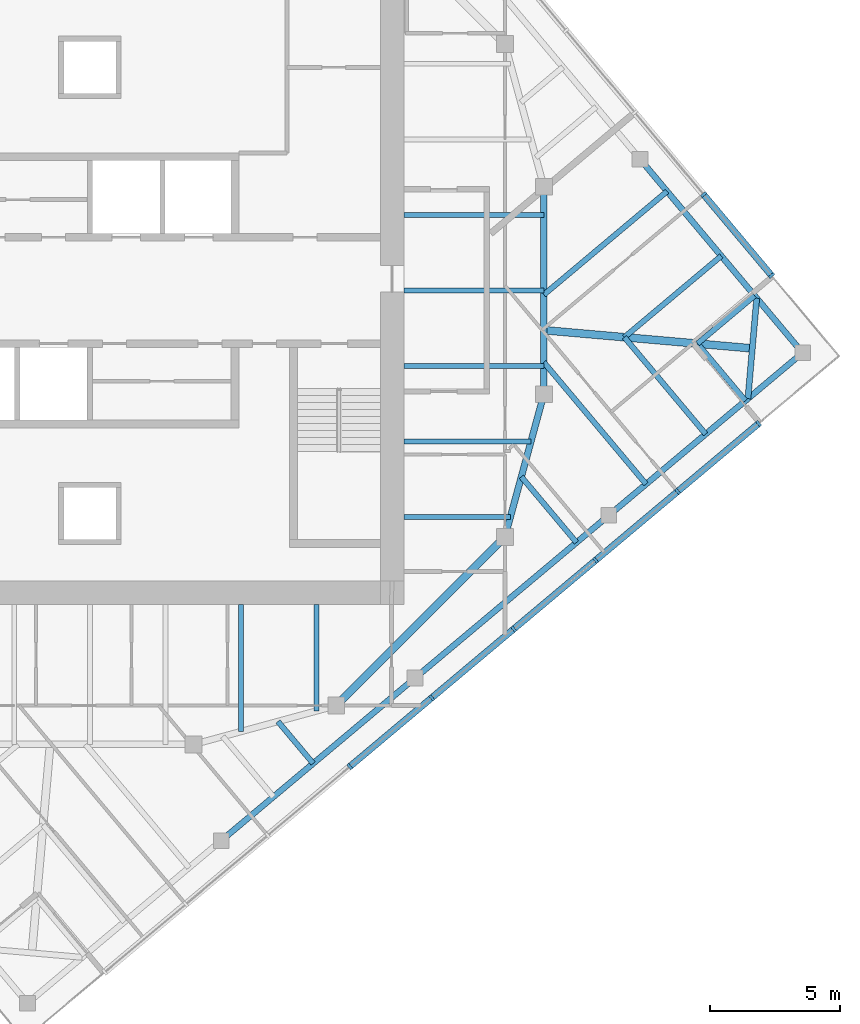
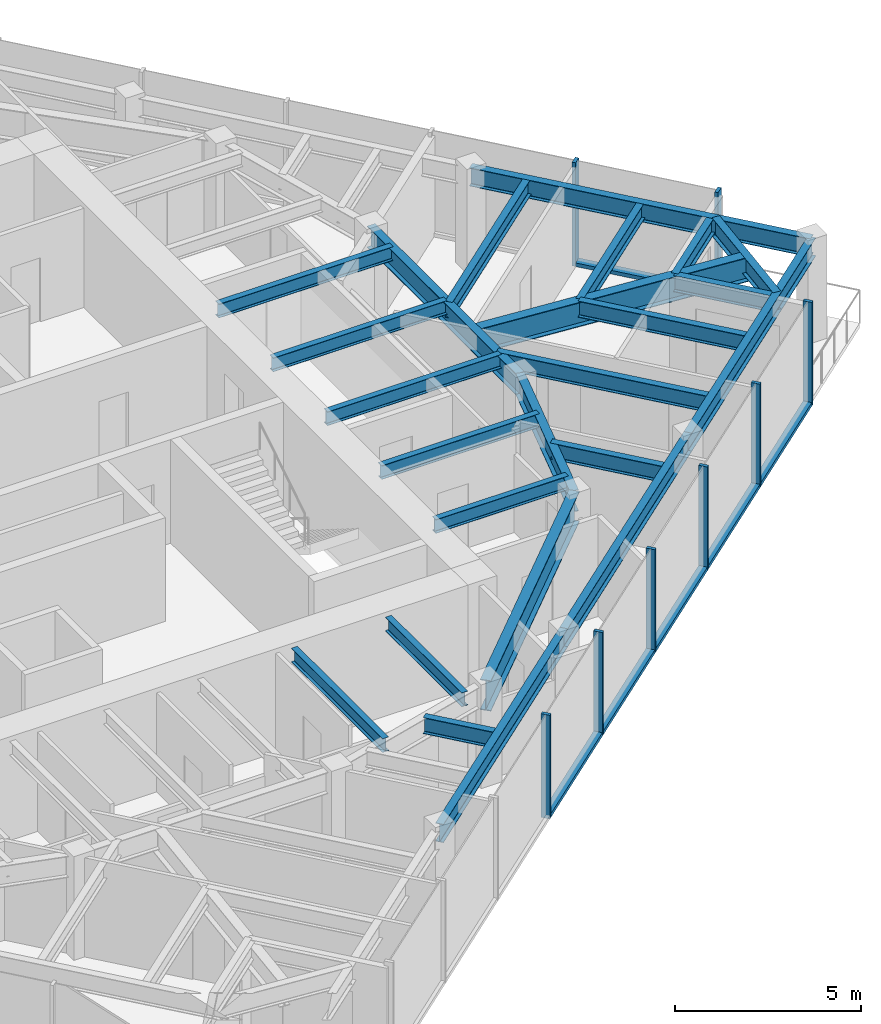
# One storey, part 3 of 12: 24 beams, 14 members, 2 elements without a shape of their own.
"""IFC4 building model written with IfcOpenShell, lengths in metres."""

from ifc_helpers import new_model, si_unit, direction, frame, origin, origin_2d, place, context, subcontext, project, spatial, rectangle, i_section, extrude, material, material_profile, profile_set, type_object, element, aggregate, save


model = new_model("IFC4")

# Units and contexts
model_context = context("Model", 3, precision=1e-05, world=origin(), true_north=direction((0.0, 1.0)))
body_context = subcontext(model_context, "Body", "Model", "MODEL_VIEW")
ifc_project = project(units=[si_unit("LENGTHUNIT", "METRE"), si_unit("AREAUNIT", "SQUARE_METRE"), si_unit("VOLUMEUNIT", "CUBIC_METRE"), si_unit("PLANEANGLEUNIT", "RADIAN"), si_unit("MASSUNIT", "GRAM", prefix="KILO")], contexts=[model_context])

# Site, building, storey
site_placement = place(None, origin())
site = spatial("IfcSite", under=ifc_project, at=site_placement, CompositionType="ELEMENT")
building_placement = place(site_placement, origin())
building = spatial("IfcBuilding", under=site, at=building_placement, Name="Torsade Residences", CompositionType="ELEMENT")
storey_placement = place(building_placement, frame((0.0, 0.0, 289.60009765625)))
storey = spatial("IfcBuildingStorey", under=building, at=storey_placement, Name="L80", CompositionType="ELEMENT", Elevation=289.60009765625)

# Beams
ifc_material_1 = material(Name="Steel grade 300", Category="steel")
ifc_material_profile_1 = material_profile(ifc_material_1, i_section(OverallWidth=0.300048828125, OverallDepth=0.800048828125, WebThickness=0.010009765625, FlangeThickness=0.02001953125, at=origin_2d()), Name="800WB146")
ifc_profile_set_1 = profile_set([ifc_material_profile_1], Name="Steel grade 300")
beam_type_1 = type_object("IfcBeamType", Name="CORNER GIRDER 800WB146", PredefinedType="BEAM", material=ifc_profile_set_1)
beam_1_placement = place(storey_placement, frame((65.53515625, 27.765869140625, 2.849853515625), z_axis=(-0.996193191806, 0.087172957961, 0.0), x_axis=(-0.087172957961, -0.996193191806, 0.0)))
element("IfcBeam", 1, at=beam_1_placement, inside=storey, type_object=beam_type_1, Name="Corner girder 05 L81", PredefinedType="BEAM", context=body_context, shape_type="SweptSolid", body=[
    extrude(i_section(OverallWidth=0.300048828125, OverallDepth=0.800048828125, WebThickness=0.010009765625, FlangeThickness=0.02001953125, at=origin_2d()), origin(), (0.0, 0.0, 1.0), 8.06591796875),
])
ifc_material_2 = material(Name="Steel grade 300", Category="steel")
ifc_material_profile_2 = material_profile(ifc_material_2, i_section(OverallWidth=0.22802734375, OverallDepth=0.60205078125, WebThickness=0.010498046875, FlangeThickness=0.014892578125, FilletRadius=0.013916015625, at=origin_2d()), Name="610UB101")
ifc_profile_set_2 = profile_set([ifc_material_profile_2], Name="Steel grade 300")
beam_type_2 = type_object("IfcBeamType", Name="CORNER TRIMMER 610UB101", PredefinedType="BEAM", material=ifc_profile_set_2)
beam_2_placement = place(storey_placement, frame((65.70458984375, 29.703125, 2.948974609375), z_axis=(-0.087133464362, -0.996196646947, 0.0), x_axis=(0.996196646947, -0.087133464362, 0.0)))
element("IfcBeam", 2, at=beam_2_placement, inside=storey, type_object=beam_type_2, Name="Corner trimmer 05 L81", PredefinedType="BEAM", context=body_context, shape_type="SweptSolid", body=[
    extrude(i_section(OverallWidth=0.22802734375, OverallDepth=0.60205078125, WebThickness=0.010498046875, FlangeThickness=0.014892578125, FilletRadius=0.013916015625, at=origin_2d()), origin(), (0.0, 0.0, 1.0), 3.88916015625),
])
ifc_material_3 = material(Name="Steel grade 300", Category="steel")
ifc_material_profile_3 = material_profile(ifc_material_3, i_section(OverallWidth=0.22802734375, OverallDepth=0.60205078125, WebThickness=0.010498046875, FlangeThickness=0.014892578125, FilletRadius=0.013916015625, at=origin_2d()), Name="610UB101")
ifc_profile_set_3 = profile_set([ifc_material_profile_3], Name="Steel grade 300")
beam_type_3 = type_object("IfcBeamType", Name="EDGE BEAM 610UB101", PredefinedType="SPANDREL", material=ifc_profile_set_3)
for number, where, z_axis, x_axis, name in (
    (3, (45.0654296875, 8.794921875, 2.948974609375), (0.766051532934, 0.642779160279, 0.0), (-0.642779160279, 0.766051532934, 0.0), "Edge beam 02 L81"),
    (4, (52.534423828125, 15.06201171875, 2.948974609375), (0.766028856906, 0.642806184154, 0.0), (-0.642806184154, 0.766028856906, 0.0), "Edge beam 03 L81"),
    (5, (60.003173828125, 21.329345703125, 2.948974609375), (0.766051532934, 0.642779160279, 0.0), (-0.642779160279, 0.766051532934, 0.0), "Edge beam 04 L81"),
    (6, (67.47216796875, 27.596435546875, 2.948974609375), (-0.642779160279, 0.766051532934, 0.0), (-0.766051532934, -0.642779160279, 0.0), "Edge beam 05 L81"),
):
    element("IfcBeam", number, at=place(storey_placement, frame(where, z_axis=z_axis, x_axis=x_axis)), inside=storey, type_object=beam_type_3, Name=name, PredefinedType="SPANDREL", context=body_context, shape_type="SweptSolid", body=[
        extrude(i_section(OverallWidth=0.22802734375, OverallDepth=0.60205078125, WebThickness=0.010498046875, FlangeThickness=0.014892578125, FilletRadius=0.013916015625, at=origin_2d()), origin(), (0.0, 0.0, 1.0), 9.75),
    ])

# Curtain wall, members
ifc_material_4 = material(Name="Aluminium and glass", Category="aluminium")
curtain_wall_type = type_object("IfcCurtainWallType", Name="FRITTED GLASS CURTAIN WALL HIGH ZONE", PredefinedType="NOTDEFINED", material=ifc_material_4)
curtain_wall_1_placement = place(storey_placement, origin())
curtain_wall_1 = element("IfcCurtainWall", 7, at=curtain_wall_1_placement, inside=storey, type_object=curtain_wall_type, Name="Curtain wall L80 face 1", PredefinedType="NOTDEFINED")
ifc_material_5 = material(Name="Aluminium mullion", Category="aluminium")
ifc_material_profile_4 = material_profile(ifc_material_5, rectangle(XDim=0.25, YDim=0.10009765625, at=origin_2d()), Name="HIGH ZONE CURTAIN WALL MULLION 250x100")
ifc_profile_set_4 = profile_set([ifc_material_profile_4], Name="Aluminium mullion")
member_type_1 = type_object("IfcMemberType", Name="HIGH ZONE CURTAIN WALL MULLION 250x100", PredefinedType="MULLION", material=ifc_profile_set_4)
member_1_placement = place(storey_placement, frame((50.017333984375, 11.64453125, 0.0), z_axis=(0.0, 0.0, 1.0), x_axis=(-0.642787616853, 0.766044437106, 0.0)))
member_1 = element("IfcMember", 8, at=member_1_placement, type_object=member_type_1, Name="Mullion 4", PredefinedType="MULLION", context=body_context, shape_type="SweptSolid", body=[
    extrude(rectangle(XDim=0.25, YDim=0.10009765625, at=origin_2d()), origin(), (0.0, 0.0, 1.0), 3.39990234375),
])
member_2_placement = place(storey_placement, frame((53.17724609375, 14.296142578125, 0.0), z_axis=(0.0, 0.0, 1.0), x_axis=(-0.642787616853, 0.766044437106, 0.0)))
member_2 = element("IfcMember", 9, at=member_2_placement, type_object=member_type_1, Name="Mullion 5", PredefinedType="MULLION", context=body_context, shape_type="SweptSolid", body=[
    extrude(rectangle(XDim=0.25, YDim=0.10009765625, at=origin_2d()), origin(), (0.0, 0.0, 1.0), 3.39990234375),
])
member_3_placement = place(storey_placement, frame((56.337158203125, 16.947509765625, 0.0), z_axis=(0.0, 0.0, 1.0), x_axis=(-0.642787616853, 0.766044437106, 0.0)))
member_3 = element("IfcMember", 10, at=member_3_placement, type_object=member_type_1, Name="Mullion 6", PredefinedType="MULLION", context=body_context, shape_type="SweptSolid", body=[
    extrude(rectangle(XDim=0.25, YDim=0.10009765625, at=origin_2d()), origin(), (0.0, 0.0, 1.0), 3.39990234375),
])
member_4_placement = place(storey_placement, frame((59.4970703125, 19.59912109375, 0.0), z_axis=(0.0, 0.0, 1.0), x_axis=(-0.642787616853, 0.766044437106, 0.0)))
member_4 = element("IfcMember", 11, at=member_4_placement, type_object=member_type_1, Name="Mullion 7", PredefinedType="MULLION", context=body_context, shape_type="SweptSolid", body=[
    extrude(rectangle(XDim=0.25, YDim=0.10009765625, at=origin_2d()), origin(), (0.0, 0.0, 1.0), 3.39990234375),
])
member_5_placement = place(storey_placement, frame((62.656982421875, 22.25048828125, 0.0), z_axis=(0.0, 0.0, 1.0), x_axis=(-0.642787616853, 0.766044437106, 0.0)))
member_5 = element("IfcMember", 12, at=member_5_placement, type_object=member_type_1, Name="Mullion 8", PredefinedType="MULLION", context=body_context, shape_type="SweptSolid", body=[
    extrude(rectangle(XDim=0.25, YDim=0.10009765625, at=origin_2d()), origin(), (0.0, 0.0, 1.0), 3.39990234375),
])
member_6_placement = place(storey_placement, frame((65.778564453125, 24.869873046875, 0.0), z_axis=(0.0, 0.0, 1.0), x_axis=(-0.642787616853, 0.766044437106, 0.0)))
member_6 = element("IfcMember", 13, at=member_6_placement, type_object=member_type_1, Name="Mullion 9", PredefinedType="MULLION", context=body_context, shape_type="SweptSolid", body=[
    extrude(rectangle(XDim=0.25, YDim=0.10009765625, at=origin_2d()), origin(), (0.0, 0.0, 1.0), 3.39990234375),
])

curtain_wall_2_placement = place(storey_placement, origin())
curtain_wall_2 = element("IfcCurtainWall", 14, at=curtain_wall_2_placement, inside=storey, type_object=curtain_wall_type, Name="Curtain wall L80 face 4", PredefinedType="NOTDEFINED")
member_7_placement = place(storey_placement, frame((66.27783203125, 30.57568359375, 0.0), z_axis=(0.0, 0.0, 1.0), x_axis=(-0.766044437106, -0.642787616853, 0.0)))
member_7 = element("IfcMember", 15, at=member_7_placement, type_object=member_type_1, Name="Mullion 1", PredefinedType="MULLION", context=body_context, shape_type="SweptSolid", body=[
    extrude(rectangle(XDim=0.25, YDim=0.10009765625, at=origin_2d()), origin(), (0.0, 0.0, 1.0), 3.39990234375),
])
member_8_placement = place(storey_placement, frame((63.658447265625, 33.697265625, 0.0), z_axis=(0.0, 0.0, 1.0), x_axis=(-0.766044437106, -0.642787616853, 0.0)))
member_8 = element("IfcMember", 16, at=member_8_placement, type_object=member_type_1, Name="Mullion 2", PredefinedType="MULLION", context=body_context, shape_type="SweptSolid", body=[
    extrude(rectangle(XDim=0.25, YDim=0.10009765625, at=origin_2d()), origin(), (0.0, 0.0, 1.0), 3.39990234375),
])

# Member
ifc_material_6 = material(Name="Aluminium transom", Category="aluminium")
ifc_material_profile_5 = material_profile(ifc_material_6, rectangle(XDim=0.25, YDim=0.1201171875, at=origin_2d()), Name="HIGH ZONE CURTAIN WALL TRANSOM 250x120")
ifc_profile_set_5 = profile_set([ifc_material_profile_5], Name="Aluminium transom")
member_type_2 = type_object("IfcMemberType", Name="HIGH ZONE CURTAIN WALL TRANSOM 250x120", PredefinedType="USERDEFINED", material=ifc_profile_set_5)
member_9_placement = place(storey_placement, frame((50.055419921875, 11.6767578125, 0.059814453125), z_axis=(0.766069182322, 0.6427581255, 0.0), x_axis=(-0.6427581255, 0.766069182322, 0.0)))
member_9 = element("IfcMember", 17, at=member_9_placement, type_object=member_type_2, Name="Transom 4.1", ObjectType="TRANSOM", PredefinedType="USERDEFINED", context=body_context, shape_type="SweptSolid", body=[
    extrude(rectangle(XDim=0.25, YDim=0.1201171875, at=origin_2d()), origin(), (0.0, 0.0, 1.0), 4.025146484375),
])

member_10_placement = place(storey_placement, frame((53.21533203125, 14.328125, 0.059814453125), z_axis=(0.766039316443, 0.642793719372, 0.0), x_axis=(-0.642793719372, 0.766039316443, 0.0)))
member_10 = element("IfcMember", 18, at=member_10_placement, type_object=member_type_2, Name="Transom 5.1", ObjectType="TRANSOM", PredefinedType="USERDEFINED", context=body_context, shape_type="SweptSolid", body=[
    extrude(rectangle(XDim=0.25, YDim=0.1201171875, at=origin_2d()), origin(), (0.0, 0.0, 1.0), 4.025146484375),
])

member_11_placement = place(storey_placement, frame((56.37548828125, 16.979736328125, 0.059814453125), z_axis=(0.766044121803, 0.642787992616, 0.0), x_axis=(-0.642787992616, 0.766044121803, 0.0)))
member_11 = element("IfcMember", 19, at=member_11_placement, type_object=member_type_2, Name="Transom 6.1", ObjectType="TRANSOM", PredefinedType="USERDEFINED", context=body_context, shape_type="SweptSolid", body=[
    extrude(rectangle(XDim=0.25, YDim=0.1201171875, at=origin_2d()), origin(), (0.0, 0.0, 1.0), 4.02490234375),
])

member_12_placement = place(storey_placement, frame((59.535400390625, 19.63134765625, 0.059814453125), z_axis=(0.766044121803, 0.642787992616, 0.0), x_axis=(-0.642787992616, 0.766044121803, 0.0)))
member_12 = element("IfcMember", 20, at=member_12_placement, type_object=member_type_2, Name="Transom 7.1", ObjectType="TRANSOM", PredefinedType="USERDEFINED", context=body_context, shape_type="SweptSolid", body=[
    extrude(rectangle(XDim=0.25, YDim=0.1201171875, at=origin_2d()), origin(), (0.0, 0.0, 1.0), 4.02490234375),
])

member_13_placement = place(storey_placement, frame((62.6953125, 22.28271484375, 0.059814453125), z_axis=(0.766021778456, 0.642814619413, 0.0), x_axis=(-0.642814619413, 0.766021778456, 0.0)))
member_13 = element("IfcMember", 21, at=member_13_placement, type_object=member_type_2, Name="Transom 8.1", ObjectType="TRANSOM", PredefinedType="USERDEFINED", context=body_context, shape_type="SweptSolid", body=[
    extrude(rectangle(XDim=0.25, YDim=0.1201171875, at=origin_2d()), origin(), (0.0, 0.0, 1.0), 3.97509765625),
])

aggregate(curtain_wall_1, [member_1, member_2, member_3, member_4, member_5, member_6, member_9, member_10, member_11, member_12, member_13])

member_14_placement = place(storey_placement, frame((66.24560546875, 30.614013671875, 0.059814453125), z_axis=(-0.642814619413, 0.766021778456, 0.0), x_axis=(-0.766021778456, -0.642814619413, 0.0)))
member_14 = element("IfcMember", 22, at=member_14_placement, type_object=member_type_2, Name="Transom 1.1", ObjectType="TRANSOM", PredefinedType="USERDEFINED", context=body_context, shape_type="SweptSolid", body=[
    extrude(rectangle(XDim=0.25, YDim=0.1201171875, at=origin_2d()), origin(), (0.0, 0.0, 1.0), 3.97509765625),
])

aggregate(curtain_wall_2, [member_7, member_8, member_14])

# Beams
ifc_material_7 = material(Name="Steel grade 300", Category="steel")
ifc_material_profile_6 = material_profile(ifc_material_7, i_section(OverallWidth=0.18994140625, OverallDepth=0.4541015625, WebThickness=0.008544921875, FlangeThickness=0.0126953125, FilletRadius=0.011474609375, at=origin_2d()), Name="460UB67.1")
ifc_profile_set_6 = profile_set([ifc_material_profile_6], Name="Steel grade 300")
beam_type_4 = type_object("IfcBeamType", Name="INNER FLOOR BEAM 460UB67.1", PredefinedType="JOIST", material=ifc_profile_set_6)
beam_3_placement = place(storey_placement, frame((48.737548828125, 17.89990234375, 3.02294921875), z_axis=(0.0, -1.0, 0.0), x_axis=(1.0, 0.0, 0.0)))
element("IfcBeam", 23, at=beam_3_placement, inside=storey, type_object=beam_type_4, Name="Inner floor beam IS01 L81", PredefinedType="JOIST", context=body_context, shape_type="SweptSolid", body=[
    extrude(i_section(OverallWidth=0.18994140625, OverallDepth=0.4541015625, WebThickness=0.008544921875, FlangeThickness=0.0126953125, FilletRadius=0.011474609375, at=origin_2d()), origin(), (0.0, 0.0, 1.0), 4.10791015625),
])
beam_4_placement = place(storey_placement, frame((45.824951171875, 17.89990234375, 3.02294921875), z_axis=(0.0, -1.0, 0.0), x_axis=(1.0, 0.0, 0.0)))
element("IfcBeam", 24, at=beam_4_placement, inside=storey, type_object=beam_type_4, Name="Inner floor beam IS02 L81", PredefinedType="JOIST", context=body_context, shape_type="SweptSolid", body=[
    extrude(i_section(OverallWidth=0.18994140625, OverallDepth=0.4541015625, WebThickness=0.008544921875, FlangeThickness=0.0126953125, FilletRadius=0.011474609375, at=origin_2d()), origin(), (0.0, 0.0, 1.0), 4.902099609375),
])
beam_5_placement = place(storey_placement, frame((52.10009765625, 21.262451171875, 3.02294921875), z_axis=(1.0, 0.0, 0.0), x_axis=(0.0, 1.0, 0.0)))
element("IfcBeam", 25, at=beam_5_placement, inside=storey, type_object=beam_type_4, Name="Inner floor beam IE01 L81", PredefinedType="JOIST", context=body_context, shape_type="SweptSolid", body=[
    extrude(i_section(OverallWidth=0.18994140625, OverallDepth=0.4541015625, WebThickness=0.008544921875, FlangeThickness=0.0126953125, FilletRadius=0.011474609375, at=origin_2d()), origin(), (0.0, 0.0, 1.0), 4.10791015625),
])
beam_6_placement = place(storey_placement, frame((52.10009765625, 24.175048828125, 3.02294921875), z_axis=(1.0, 0.0, 0.0), x_axis=(0.0, 1.0, 0.0)))
element("IfcBeam", 26, at=beam_6_placement, inside=storey, type_object=beam_type_4, Name="Inner floor beam IE02 L81", PredefinedType="JOIST", context=body_context, shape_type="SweptSolid", body=[
    extrude(i_section(OverallWidth=0.18994140625, OverallDepth=0.4541015625, WebThickness=0.008544921875, FlangeThickness=0.0126953125, FilletRadius=0.011474609375, at=origin_2d()), origin(), (0.0, 0.0, 1.0), 4.902099609375),
])
for number, where, z_axis, x_axis, name in (
    (27, (52.10009765625, 27.08740234375, 3.02294921875), (1.0, 0.0, 0.0), (0.0, 1.0, 0.0), "Inner floor beam IE03 L81"),
    (28, (52.10009765625, 30.0, 3.02294921875), (1.0, 0.0, 0.0), (0.0, 1.0, 0.0), "Inner floor beam IE04 L81"),
    (29, (52.10009765625, 32.91259765625, 3.02294921875), (1.0, 0.0, 0.0), (0.0, 1.0, 0.0), "Inner floor beam IE05 L81"),
):
    element("IfcBeam", number, at=place(storey_placement, frame(where, z_axis=z_axis, x_axis=x_axis)), inside=storey, type_object=beam_type_4, Name=name, PredefinedType="JOIST", context=body_context, shape_type="SweptSolid", body=[
        extrude(i_section(OverallWidth=0.18994140625, OverallDepth=0.4541015625, WebThickness=0.008544921875, FlangeThickness=0.0126953125, FilletRadius=0.011474609375, at=origin_2d()), origin(), (0.0, 0.0, 1.0), 5.39990234375),
    ])
ifc_material_8 = material(Name="Steel grade 300", Category="steel")
ifc_material_profile_7 = material_profile(ifc_material_8, i_section(OverallWidth=0.300048828125, OverallDepth=1.0, WebThickness=0.01611328125, FlangeThickness=0.028076171875, at=origin_2d()), Name="1000WB215")
ifc_profile_set_7 = profile_set([ifc_material_profile_7], Name="Steel grade 300")
beam_type_5 = type_object("IfcBeamType", Name="RING CORNER GIRDER 1000WB215", PredefinedType="BEAM", material=ifc_profile_set_7)
beam_7_placement = place(storey_placement, frame((49.5, 14.0, 2.75), z_axis=(0.707106781187, 0.707106781187, 0.0), x_axis=(-0.707106781187, 0.707106781187, 0.0)))
element("IfcBeam", 30, at=beam_7_placement, inside=storey, type_object=beam_type_5, Name="Ring girder IR15 L81", PredefinedType="BEAM", context=body_context, shape_type="SweptSolid", body=[
    extrude(i_section(OverallWidth=0.300048828125, OverallDepth=1.0, WebThickness=0.01611328125, FlangeThickness=0.028076171875, at=origin_2d()), origin(), (0.0, 0.0, 1.0), 9.1923828125),
])
ifc_material_9 = material(Name="Steel grade 300", Category="steel")
ifc_material_profile_8 = material_profile(ifc_material_9, i_section(OverallWidth=0.25, OverallDepth=0.699951171875, WebThickness=0.010009765625, FlangeThickness=0.02001953125, at=origin_2d()), Name="700WB130")
ifc_profile_set_8 = profile_set([ifc_material_profile_8], Name="Steel grade 300")
beam_type_6 = type_object("IfcBeamType", Name="RING GIRDER 700WB130", PredefinedType="BEAM", material=ifc_profile_set_8)
beam_8_placement = place(storey_placement, frame((57.5, 26.0, 2.89990234375), z_axis=(0.0, 1.0, 0.0), x_axis=(-1.0, 0.0, 0.0)))
element("IfcBeam", 31, at=beam_8_placement, inside=storey, type_object=beam_type_6, Name="Ring girder IR01 L81", PredefinedType="BEAM", context=body_context, shape_type="SweptSolid", body=[
    extrude(i_section(OverallWidth=0.25, OverallDepth=0.699951171875, WebThickness=0.010009765625, FlangeThickness=0.02001953125, at=origin_2d()), origin(), (0.0, 0.0, 1.0), 8.0),
])
beam_9_placement = place(storey_placement, frame((56.0, 20.5, 2.89990234375), z_axis=(0.263117405792, 0.964763821238, 0.0), x_axis=(-0.964763821238, 0.263117405792, 0.0)))
element("IfcBeam", 32, at=beam_9_placement, inside=storey, type_object=beam_type_6, Name="Ring girder IR16 L81", PredefinedType="BEAM", context=body_context, shape_type="SweptSolid", body=[
    extrude(i_section(OverallWidth=0.25, OverallDepth=0.699951171875, WebThickness=0.010009765625, FlangeThickness=0.02001953125, at=origin_2d()), origin(), (0.0, 0.0, 1.0), 5.700927734375),
])
ifc_material_10 = material(Name="Steel grade 300", Category="steel")
ifc_material_profile_9 = material_profile(ifc_material_10, i_section(OverallWidth=0.208984375, OverallDepth=0.532958984375, WebThickness=0.01025390625, FlangeThickness=0.015625, FilletRadius=0.013916015625, at=origin_2d()), Name="530UB92.4")
ifc_profile_set_9 = profile_set([ifc_material_profile_9], Name="Steel grade 300")
beam_type_7 = type_object("IfcBeamType", Name="SECONDARY BEAM 530UB92.4", PredefinedType="JOIST", material=ifc_profile_set_9)
beam_10_placement = place(storey_placement, frame((48.6083984375, 11.767822265625, 2.9833984375), z_axis=(-0.642771977004, 0.766057560226, 0.0), x_axis=(-0.766057560226, -0.642771977004, 0.0)))
element("IfcBeam", 33, at=beam_10_placement, inside=storey, type_object=beam_type_7, Name="Floor beam FS05 L81", PredefinedType="JOIST", context=body_context, shape_type="SweptSolid", body=[
    extrude(i_section(OverallWidth=0.208984375, OverallDepth=0.532958984375, WebThickness=0.01025390625, FlangeThickness=0.015625, FilletRadius=0.013916015625, at=origin_2d()), origin(), (0.0, 0.0, 1.0), 2.113037109375),
])
beam_11_placement = place(storey_placement, frame((58.758544921875, 20.28466796875, 2.9833984375), z_axis=(-0.642786956891, 0.766044990879, 0.0), x_axis=(-0.766044990879, -0.642786956891, 0.0)))
element("IfcBeam", 34, at=beam_11_placement, inside=storey, type_object=beam_type_7, Name="Floor beam FS09 L81", PredefinedType="JOIST", context=body_context, shape_type="SweptSolid", body=[
    extrude(i_section(OverallWidth=0.208984375, OverallDepth=0.532958984375, WebThickness=0.01025390625, FlangeThickness=0.015625, FilletRadius=0.013916015625, at=origin_2d()), origin(), (0.0, 0.0, 1.0), 3.307861328125),
])
beam_12_placement = place(storey_placement, frame((61.439697265625, 22.534423828125, 2.9833984375), z_axis=(-0.642794037701, 0.766039049329, 0.0), x_axis=(-0.766039049329, -0.642794037701, 0.0)))
element("IfcBeam", 35, at=beam_12_placement, inside=storey, type_object=beam_type_7, Name="Floor beam FS10 L81", PredefinedType="JOIST", context=body_context, shape_type="SweptSolid", body=[
    extrude(i_section(OverallWidth=0.208984375, OverallDepth=0.532958984375, WebThickness=0.01025390625, FlangeThickness=0.015625, FilletRadius=0.013916015625, at=origin_2d()), origin(), (0.0, 0.0, 1.0), 6.12890625),
])
beam_13_placement = place(storey_placement, frame((63.73779296875, 24.462890625, 2.9833984375), z_axis=(-0.642791490223, 0.766041186946, 0.0), x_axis=(-0.766041186946, -0.642791490223, 0.0)))
element("IfcBeam", 36, at=beam_13_placement, inside=storey, type_object=beam_type_7, Name="Floor beam FS11 L81", PredefinedType="JOIST", context=body_context, shape_type="SweptSolid", body=[
    extrude(i_section(OverallWidth=0.208984375, OverallDepth=0.532958984375, WebThickness=0.01025390625, FlangeThickness=0.015625, FilletRadius=0.013916015625, at=origin_2d()), origin(), (0.0, 0.0, 1.0), 4.875),
])
for number, where, z_axis, x_axis, name in (
    (37, (65.269775390625, 25.74853515625, 2.9833984375), (-0.642761807001, 0.766066093402, 0.0), (-0.766066093402, -0.642761807001, 0.0), "Floor beam FS12 L81"),
    (38, (65.624267578125, 29.798828125, 2.9833984375), (-0.766066093402, -0.642761807001, 0.0), (0.642761807001, -0.766066093402, 0.0), "Floor beam FE01 L81"),
):
    element("IfcBeam", number, at=place(storey_placement, frame(where, z_axis=z_axis, x_axis=x_axis)), inside=storey, type_object=beam_type_7, Name=name, PredefinedType="JOIST", context=body_context, shape_type="SweptSolid", body=[
        extrude(i_section(OverallWidth=0.208984375, OverallDepth=0.532958984375, WebThickness=0.01025390625, FlangeThickness=0.015625, FilletRadius=0.013916015625, at=origin_2d()), origin(), (0.0, 0.0, 1.0), 2.875),
    ])
beam_14_placement = place(storey_placement, frame((64.338623046875, 31.3310546875, 2.9833984375), z_axis=(-0.766016526982, -0.642820877376, 0.0), x_axis=(0.642820877376, -0.766016526982, 0.0)))
element("IfcBeam", 39, at=beam_14_placement, inside=storey, type_object=beam_type_7, Name="Floor beam FE02 L81", PredefinedType="JOIST", context=body_context, shape_type="SweptSolid", body=[
    extrude(i_section(OverallWidth=0.208984375, OverallDepth=0.532958984375, WebThickness=0.01025390625, FlangeThickness=0.015625, FilletRadius=0.013916015625, at=origin_2d()), origin(), (0.0, 0.0, 1.0), 4.875),
])
beam_15_placement = place(storey_placement, frame((62.24951171875, 33.820556640625, 2.9833984375), z_axis=(-0.766041422722, -0.642791209238, 0.0), x_axis=(0.642791209238, -0.766041422722, 0.0)))
element("IfcBeam", 40, at=beam_15_placement, inside=storey, type_object=beam_type_7, Name="Floor beam FE03 L81", PredefinedType="JOIST", context=body_context, shape_type="SweptSolid", body=[
    extrude(i_section(OverallWidth=0.208984375, OverallDepth=0.532958984375, WebThickness=0.01025390625, FlangeThickness=0.015625, FilletRadius=0.013916015625, at=origin_2d()), origin(), (0.0, 0.0, 1.0), 6.199951171875),
])

save(model, "model.ifc")
